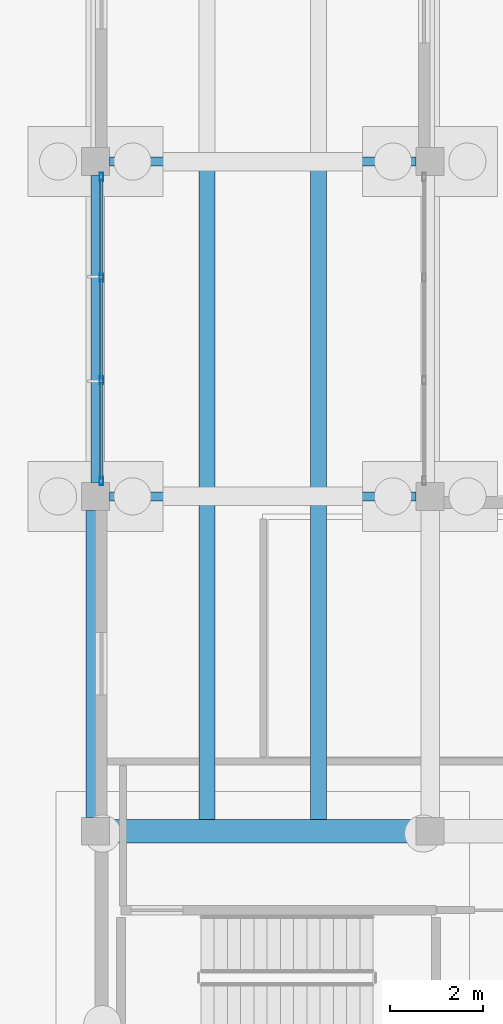
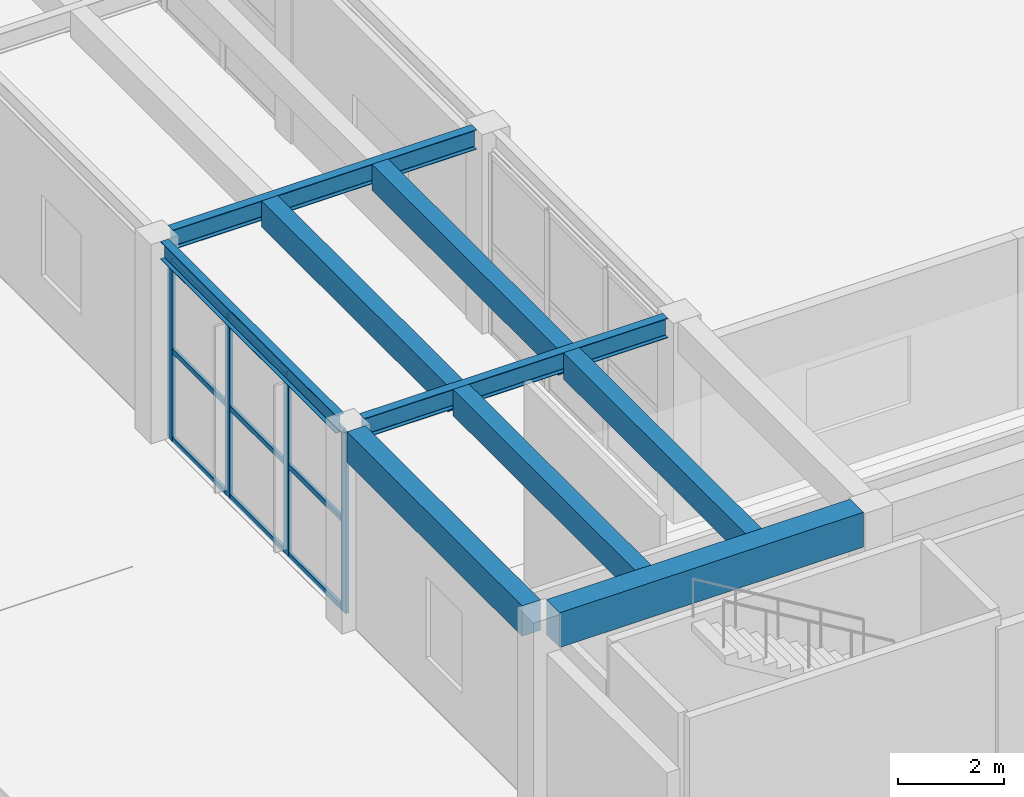
# One storey, part 16 of 155: 13 members, 9 beams, 1 element without a shape of its own.
"""IFC4 building model written with IfcOpenShell, lengths in metres."""

from ifc_helpers import new_model, si_unit, direction, frame, origin, origin_2d, place, context, subcontext, project, spatial, rectangle, hollow_rectangle, i_section, extrude, material, material_profile, profile_set, type_object, element, aggregate, save


model = new_model("IFC4")

# Units and contexts
model_context = context("Model", 3, precision=1e-05, world=origin(), true_north=direction((0.0, 1.0)))
body_context = subcontext(model_context, "Body", "Model", "MODEL_VIEW")
ifc_project = project(units=[si_unit("LENGTHUNIT", "METRE"), si_unit("AREAUNIT", "SQUARE_METRE"), si_unit("VOLUMEUNIT", "CUBIC_METRE"), si_unit("PLANEANGLEUNIT", "RADIAN"), si_unit("MASSUNIT", "GRAM", prefix="KILO")], contexts=[model_context])

# Site, building, storey
site_placement = place(None, origin())
site = spatial("IfcSite", under=ifc_project, at=site_placement, CompositionType="ELEMENT")
building_placement = place(site_placement, origin())
building = spatial("IfcBuilding", under=site, at=building_placement, Name="Bramvelor Terrace Health Centre", CompositionType="ELEMENT")
storey_placement = place(building_placement, origin())
storey = spatial("IfcBuildingStorey", under=building, at=storey_placement, Name="L01", CompositionType="ELEMENT", Elevation=0.0)

# Beams
ifc_material_1 = material(Name="Concrete C40/50", Category="concrete")
ifc_material_profile_1 = material_profile(ifc_material_1, rectangle(XDim=0.39990234375, YDim=0.699951171875, at=origin_2d()), Name="RC 400x700")
ifc_profile_set_1 = profile_set([ifc_material_profile_1], Name="Concrete C40/50")
beam_type_1 = type_object("IfcBeamType", Name="BM-RC-G700", PredefinedType="BEAM", material=ifc_profile_set_1)
beam_1_placement = place(storey_placement, frame((57.60009765625, 7.5, 4.264892578125), z_axis=(0.0, 1.0, 0.0), x_axis=(-1.0, 0.0, 0.0)))
element("IfcBeam", 1, at=beam_1_placement, inside=storey, type_object=beam_type_1, Name="L01 Floor Girder", PredefinedType="BEAM", context=body_context, shape_type="SweptSolid", body=[
    extrude(rectangle(XDim=0.39990234375, YDim=0.699951171875, at=origin_2d()), origin(), (0.0, 0.0, 1.0), 6.60009765625),
])
ifc_material_2 = material(Name="Concrete C40/50", Category="concrete")
ifc_material_profile_2 = material_profile(ifc_material_2, rectangle(XDim=0.5, YDim=0.800048828125, at=origin_2d()), Name="RC 500x800")
ifc_profile_set_2 = profile_set([ifc_material_profile_2], Name="Concrete C40/50")
beam_type_2 = type_object("IfcBeamType", Name="BM-RC-G800", PredefinedType="BEAM", material=ifc_profile_set_2)
beam_2_placement = place(storey_placement, frame((57.89990234375, 7.199951171875, 4.215087890625), z_axis=(1.0, 0.0, 0.0), x_axis=(0.0, 1.0, 0.0)))
element("IfcBeam", 2, at=beam_2_placement, inside=storey, type_object=beam_type_2, Name="L01 Floor Girder", PredefinedType="BEAM", context=body_context, shape_type="SweptSolid", body=[
    extrude(rectangle(XDim=0.5, YDim=0.800048828125, at=origin_2d()), origin(), (0.0, 0.0, 1.0), 6.60009765625),
])
ifc_material_3 = material(Name="Concrete C40/50", Category="concrete")
ifc_material_profile_3 = material_profile(ifc_material_3, rectangle(XDim=0.35009765625, YDim=0.60009765625, at=origin_2d()), Name="RC 350x600")
ifc_profile_set_3 = profile_set([ifc_material_profile_3], Name="Concrete C40/50")
beam_type_3 = type_object("IfcBeamType", Name="BM-RC-J600", PredefinedType="JOIST", material=ifc_profile_set_3)
for number, where, z_axis, x_axis, name in (
    (3, (60.0, 7.449951171875, 4.31494140625), (0.0, 1.0, 0.0), (-1.0, 0.0, 0.0), "L01 Secondary Floor Joist"),
    (4, (62.39990234375, 7.449951171875, 4.31494140625), (0.0, 1.0, 0.0), (-1.0, 0.0, 0.0), "L01 Secondary Floor Joist"),
):
    element("IfcBeam", number, at=place(storey_placement, frame(where, z_axis=z_axis, x_axis=x_axis)), inside=storey, type_object=beam_type_3, Name=name, PredefinedType="JOIST", context=body_context, shape_type="SweptSolid", body=[
        extrude(rectangle(XDim=0.35009765625, YDim=0.60009765625, at=origin_2d()), origin(), (0.0, 0.0, 1.0), 6.85498046875),
    ])
for number, where, z_axis, x_axis, name in (
    (5, (60.0, 14.4951171875, 4.280029296875), (0.0, 1.0, 0.0), (-1.0, 0.0, 0.0), "L01 Secondary Floor Joist"),
    (6, (62.39990234375, 14.4951171875, 4.280029296875), (0.0, 1.0, 0.0), (-1.0, 0.0, 0.0), "L01 Secondary Floor Joist"),
):
    element("IfcBeam", number, at=place(storey_placement, frame(where, z_axis=z_axis, x_axis=x_axis)), inside=storey, type_object=beam_type_3, Name=name, PredefinedType="JOIST", context=body_context, shape_type="SweptSolid", body=[
        extrude(rectangle(XDim=0.35009765625, YDim=0.60009765625, at=origin_2d()), origin(), (0.0, 0.0, 1.0), 7.010009765625),
    ])
ifc_material_4 = material(Name="Steel S355J2", Category="steel")
ifc_material_profile_4 = material_profile(ifc_material_4, i_section(OverallWidth=0.177978515625, OverallDepth=0.406494140625, WebThickness=0.0078125, FlangeThickness=0.0126953125, FilletRadius=0.01025390625, at=origin_2d()), Name="UB 406x178x60")
ifc_profile_set_4 = profile_set([ifc_material_profile_4], Name="Steel S355J2")
beam_type_4 = type_object("IfcBeamType", Name="BM-STL-UB406", PredefinedType="BEAM", material=ifc_profile_set_4)
beam_3_placement = place(storey_placement, frame((57.60009765625, 14.699951171875, 4.376708984375), z_axis=(0.0, 1.0, 0.0), x_axis=(-1.0, 0.0, 0.0)))
element("IfcBeam", 7, at=beam_3_placement, inside=storey, type_object=beam_type_4, Name="L01 Floor Girder", PredefinedType="BEAM", context=body_context, shape_type="SweptSolid", body=[
    extrude(i_section(OverallWidth=0.177978515625, OverallDepth=0.406494140625, WebThickness=0.0078125, FlangeThickness=0.0126953125, FilletRadius=0.01025390625, at=origin_2d()), origin(), (0.0, 0.0, 1.0), 6.60009765625),
])
ifc_material_5 = material(Name="Steel S355J2", Category="steel")
ifc_material_profile_5 = material_profile(ifc_material_5, i_section(OverallWidth=0.18994140625, OverallDepth=0.453369140625, WebThickness=0.008544921875, FlangeThickness=0.0126953125, FilletRadius=0.01025390625, at=origin_2d()), Name="UB 457x191x67")
ifc_profile_set_5 = profile_set([ifc_material_profile_5], Name="Steel S355J2")
beam_type_5 = type_object("IfcBeamType", Name="BM-STL-UB457", PredefinedType="BEAM", material=ifc_profile_set_5)
for number, where, z_axis, x_axis, name in (
    (8, (57.89990234375, 14.39990234375, 4.38818359375), (1.0, 0.0, 0.0), (0.0, 1.0, 0.0), "L01 Floor Girder"),
    (9, (57.89990234375, 21.60009765625, 4.353271484375), (1.0, 0.0, 0.0), (0.0, 1.0, 0.0), "L01 Floor Girder"),
):
    element("IfcBeam", number, at=place(storey_placement, frame(where, z_axis=z_axis, x_axis=x_axis)), inside=storey, type_object=beam_type_5, Name=name, PredefinedType="BEAM", context=body_context, shape_type="SweptSolid", body=[
        extrude(i_section(OverallWidth=0.18994140625, OverallDepth=0.453369140625, WebThickness=0.008544921875, FlangeThickness=0.0126953125, FilletRadius=0.01025390625, at=origin_2d()), origin(), (0.0, 0.0, 1.0), 6.60009765625),
    ])

# Curtain wall, members
ifc_material_6 = material(Name="Anodized aluminium and double low-E glass", Category="aluminium")
curtain_wall_type = type_object("IfcCurtainWallType", Name="CW-SYS-07", PredefinedType="NOTDEFINED", material=ifc_material_6)
curtain_wall_placement = place(storey_placement, origin())
curtain_wall = element("IfcCurtainWall", 10, at=curtain_wall_placement, inside=storey, type_object=curtain_wall_type, Name="L01 Unitized Curtain Wall 56", PredefinedType="NOTDEFINED")
ifc_material_7 = material(Name="Anodized aluminium 6063-T6", Category="aluminium")
ifc_material_profile_6 = material_profile(ifc_material_7, hollow_rectangle(XDim=0.074951171875, YDim=0.179931640625, WallThickness=0.00341796875, at=origin_2d()), Name="ALU-MUL 75x180x3.5")
ifc_profile_set_6 = profile_set([ifc_material_profile_6], Name="Anodized aluminium 6063-T6")
member_type_1 = type_object("IfcMemberType", Name="CW-MUL-65x180", PredefinedType="MULLION", material=ifc_profile_set_6)
member_1_placement = place(storey_placement, frame((57.72998046875, 14.732421875, 0.0), z_axis=(0.0, 0.0, 1.0), x_axis=(-1.0, 0.0, 0.0)))
member_1 = element("IfcMember", 11, at=member_1_placement, type_object=member_type_1, Name="CW-07 mullion 1", PredefinedType="MULLION", context=body_context, shape_type="SweptSolid", body=[
    extrude(hollow_rectangle(XDim=0.074951171875, YDim=0.179931640625, WallThickness=0.00341796875, at=origin_2d()), origin(), (0.0, 0.0, 1.0), 4.134033203125),
])
member_2_placement = place(storey_placement, frame((57.72998046875, 16.8984375, 0.0), z_axis=(0.0, 0.0, 1.0), x_axis=(-1.0, 0.0, 0.0)))
member_2 = element("IfcMember", 12, at=member_2_placement, type_object=member_type_1, Name="CW-07 mullion 2", PredefinedType="MULLION", context=body_context, shape_type="SweptSolid", body=[
    extrude(hollow_rectangle(XDim=0.074951171875, YDim=0.179931640625, WallThickness=0.00341796875, at=origin_2d()), origin(), (0.0, 0.0, 1.0), 4.134033203125),
])
member_3_placement = place(storey_placement, frame((57.72998046875, 19.1015625, 0.0), z_axis=(0.0, 0.0, 1.0), x_axis=(-1.0, 0.0, 0.0)))
member_3 = element("IfcMember", 13, at=member_3_placement, type_object=member_type_1, Name="CW-07 mullion 3", PredefinedType="MULLION", context=body_context, shape_type="SweptSolid", body=[
    extrude(hollow_rectangle(XDim=0.074951171875, YDim=0.179931640625, WallThickness=0.00341796875, at=origin_2d()), origin(), (0.0, 0.0, 1.0), 4.134033203125),
])
member_4_placement = place(storey_placement, frame((57.72998046875, 21.267578125, 0.0), z_axis=(0.0, 0.0, 1.0), x_axis=(-1.0, 0.0, 0.0)))
member_4 = element("IfcMember", 14, at=member_4_placement, type_object=member_type_1, Name="CW-07 mullion 4", PredefinedType="MULLION", context=body_context, shape_type="SweptSolid", body=[
    extrude(hollow_rectangle(XDim=0.074951171875, YDim=0.179931640625, WallThickness=0.00341796875, at=origin_2d()), origin(), (0.0, 0.0, 1.0), 4.134033203125),
])
ifc_material_8 = material(Name="Anodized aluminium 6063-T6", Category="aluminium")
ifc_material_profile_7 = material_profile(ifc_material_8, hollow_rectangle(XDim=0.06494140625, YDim=0.1201171875, WallThickness=0.0029296875, at=origin_2d()), Name="ALU-TRN 65x120x3.0")
ifc_profile_set_7 = profile_set([ifc_material_profile_7], Name="Anodized aluminium 6063-T6")
member_type_2 = type_object("IfcMemberType", Name="CW-TRN-65x150", PredefinedType="USERDEFINED", material=ifc_profile_set_7)
member_5_placement = place(storey_placement, frame((57.72998046875, 14.77001953125, 0.032470703125), z_axis=(0.0, 1.0, 0.0), x_axis=(-1.0, 0.0, 0.0)))
member_5 = element("IfcMember", 15, at=member_5_placement, type_object=member_type_2, Name="CW-07 transom 1.1", ObjectType="TRANSOM", PredefinedType="USERDEFINED", context=body_context, shape_type="SweptSolid", body=[
    extrude(hollow_rectangle(XDim=0.06494140625, YDim=0.1201171875, WallThickness=0.0029296875, at=origin_2d()), origin(), (0.0, 0.0, 1.0), 2.0908203125),
])
member_6_placement = place(storey_placement, frame((57.72998046875, 14.77001953125, 2.06689453125), z_axis=(0.0, 1.0, 0.0), x_axis=(-1.0, 0.0, 0.0)))
member_6 = element("IfcMember", 16, at=member_6_placement, type_object=member_type_2, Name="CW-07 transom 1.2", ObjectType="TRANSOM", PredefinedType="USERDEFINED", context=body_context, shape_type="SweptSolid", body=[
    extrude(hollow_rectangle(XDim=0.06494140625, YDim=0.1201171875, WallThickness=0.0029296875, at=origin_2d()), origin(), (0.0, 0.0, 1.0), 2.0908203125),
])
member_7_placement = place(storey_placement, frame((57.72998046875, 14.77001953125, 4.1015625), z_axis=(0.0, 1.0, 0.0), x_axis=(-1.0, 0.0, 0.0)))
member_7 = element("IfcMember", 17, at=member_7_placement, type_object=member_type_2, Name="CW-07 transom 1.3", ObjectType="TRANSOM", PredefinedType="USERDEFINED", context=body_context, shape_type="SweptSolid", body=[
    extrude(hollow_rectangle(XDim=0.06494140625, YDim=0.1201171875, WallThickness=0.0029296875, at=origin_2d()), origin(), (0.0, 0.0, 1.0), 2.0908203125),
])
member_8_placement = place(storey_placement, frame((57.72998046875, 16.935791015625, 0.032470703125), z_axis=(0.0, 1.0, 0.0), x_axis=(-1.0, 0.0, 0.0)))
member_8 = element("IfcMember", 18, at=member_8_placement, type_object=member_type_2, Name="CW-07 transom 2.1", ObjectType="TRANSOM", PredefinedType="USERDEFINED", context=body_context, shape_type="SweptSolid", body=[
    extrude(hollow_rectangle(XDim=0.06494140625, YDim=0.1201171875, WallThickness=0.0029296875, at=origin_2d()), origin(), (0.0, 0.0, 1.0), 2.12841796875),
])
member_9_placement = place(storey_placement, frame((57.72998046875, 16.935791015625, 2.06689453125), z_axis=(0.0, 1.0, 0.0), x_axis=(-1.0, 0.0, 0.0)))
member_9 = element("IfcMember", 19, at=member_9_placement, type_object=member_type_2, Name="CW-07 transom 2.2", ObjectType="TRANSOM", PredefinedType="USERDEFINED", context=body_context, shape_type="SweptSolid", body=[
    extrude(hollow_rectangle(XDim=0.06494140625, YDim=0.1201171875, WallThickness=0.0029296875, at=origin_2d()), origin(), (0.0, 0.0, 1.0), 2.12841796875),
])
member_10_placement = place(storey_placement, frame((57.72998046875, 16.935791015625, 4.1015625), z_axis=(0.0, 1.0, 0.0), x_axis=(-1.0, 0.0, 0.0)))
member_10 = element("IfcMember", 20, at=member_10_placement, type_object=member_type_2, Name="CW-07 transom 2.3", ObjectType="TRANSOM", PredefinedType="USERDEFINED", context=body_context, shape_type="SweptSolid", body=[
    extrude(hollow_rectangle(XDim=0.06494140625, YDim=0.1201171875, WallThickness=0.0029296875, at=origin_2d()), origin(), (0.0, 0.0, 1.0), 2.12841796875),
])
member_11_placement = place(storey_placement, frame((57.72998046875, 19.13916015625, 0.032470703125), z_axis=(0.0, 1.0, 0.0), x_axis=(-1.0, 0.0, 0.0)))
member_11 = element("IfcMember", 21, at=member_11_placement, type_object=member_type_2, Name="CW-07 transom 3.1", ObjectType="TRANSOM", PredefinedType="USERDEFINED", context=body_context, shape_type="SweptSolid", body=[
    extrude(hollow_rectangle(XDim=0.06494140625, YDim=0.1201171875, WallThickness=0.0029296875, at=origin_2d()), origin(), (0.0, 0.0, 1.0), 2.0908203125),
])
member_12_placement = place(storey_placement, frame((57.72998046875, 19.13916015625, 2.06689453125), z_axis=(0.0, 1.0, 0.0), x_axis=(-1.0, 0.0, 0.0)))
member_12 = element("IfcMember", 22, at=member_12_placement, type_object=member_type_2, Name="CW-07 transom 3.2", ObjectType="TRANSOM", PredefinedType="USERDEFINED", context=body_context, shape_type="SweptSolid", body=[
    extrude(hollow_rectangle(XDim=0.06494140625, YDim=0.1201171875, WallThickness=0.0029296875, at=origin_2d()), origin(), (0.0, 0.0, 1.0), 2.0908203125),
])
member_13_placement = place(storey_placement, frame((57.72998046875, 19.13916015625, 4.1015625), z_axis=(0.0, 1.0, 0.0), x_axis=(-1.0, 0.0, 0.0)))
member_13 = element("IfcMember", 23, at=member_13_placement, type_object=member_type_2, Name="CW-07 transom 3.3", ObjectType="TRANSOM", PredefinedType="USERDEFINED", context=body_context, shape_type="SweptSolid", body=[
    extrude(hollow_rectangle(XDim=0.06494140625, YDim=0.1201171875, WallThickness=0.0029296875, at=origin_2d()), origin(), (0.0, 0.0, 1.0), 2.0908203125),
])
aggregate(curtain_wall, [member_1, member_2, member_3, member_4, member_5, member_6, member_7, member_8, member_9, member_10, member_11, member_12, member_13])

save(model, "model.ifc")
